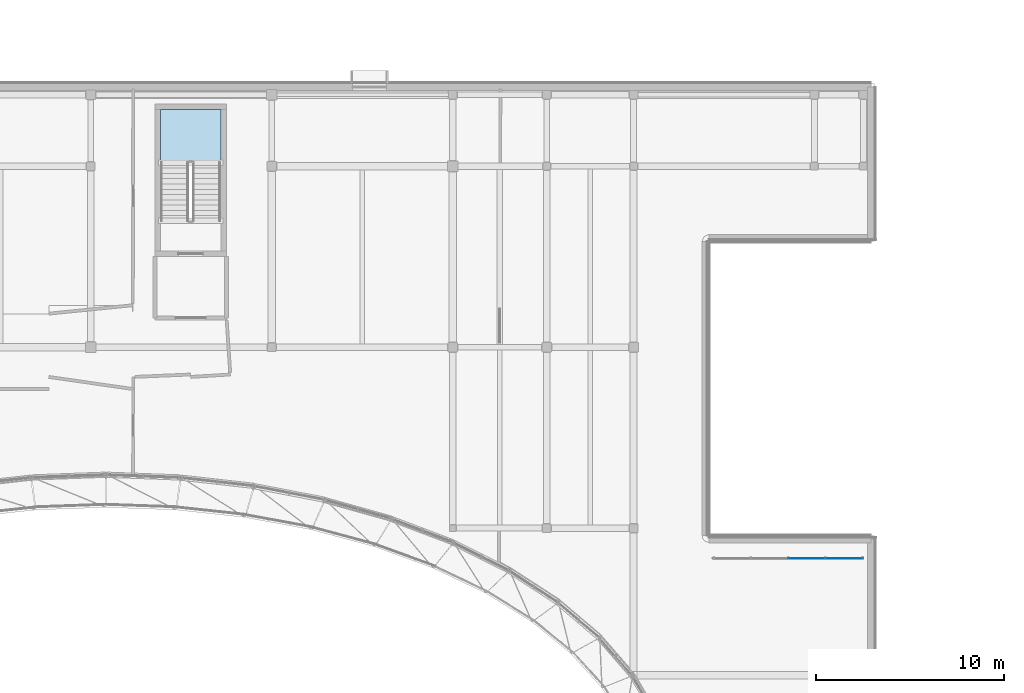
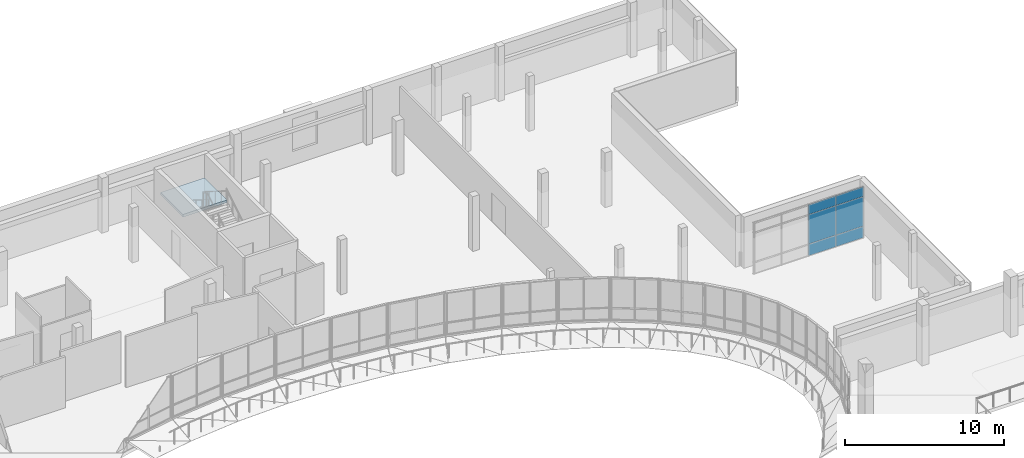
# One storey, part 34 of 73: 6 plates, 1 slab, 2 elements without a shape of their own.
"""IFC4 building model written with IfcOpenShell, lengths in metres."""

import ifcopenshell
import ifcopenshell.guid

model = None  # the IFC model being written
_history = None  # IfcOwnerHistory: only IFC2X3 demands one
_inside = {}  # id of a spatial element -> (the spatial element, [elements in it])
_under = {}  # id of a project, library or spatial element -> (it, [spatial elements below it])
_declared = {}  # id of a project -> (the project, [libraries it declares])
_typed = {}  # id of a type object -> (the type object, [elements of that type])
_made_of = {}  # id of a material, layer set ... -> (it, [elements and type objects made of it])


def new_model(schema):
    """Start an empty IFC model of exactly this schema.

    Asked for "IFC4X3", IfcOpenShell would pick the latest addendum, in which some entities
    have other attributes; the version numbers below select the first issue.
    IFC2X3 requires an IfcOwnerHistory on every rooted entity: one is made here for all.
    """
    global model, _history
    if schema == "IFC4X3":
        model = ifcopenshell.file(schema_version=(4, 3, 0, 0))
    else:
        model = ifcopenshell.file(schema=schema)
    _inside.clear()
    _under.clear()
    _declared.clear()
    _typed.clear()
    _made_of.clear()
    _history = None
    if model.schema == "IFC2X3":
        org = make("IfcOrganization", Name="unknown")
        user = make(
            "IfcPersonAndOrganization",
            ThePerson=make("IfcPerson", FamilyName="unknown"),
            TheOrganization=org,
        )
        app = make(
            "IfcApplication",
            ApplicationDeveloper=org,
            Version="unknown",
            ApplicationFullName="unknown",
            ApplicationIdentifier="unknown",
        )
        _history = make(
            "IfcOwnerHistory",
            OwningUser=user,
            OwningApplication=app,
            ChangeAction="ADDED",
            CreationDate=0,
        )
    return model


def make(cls, **values):
    """One entity of the class cls with the attributes given. An attribute that is None is left unset."""
    return model.create_entity(
        cls, **{name: value for name, value in values.items() if value is not None}
    )


def rooted(cls, **values):
    """An entity with a GlobalId (a new one), such as an element, a storey or a relation."""
    return make(cls, GlobalId=ifcopenshell.guid.new(), OwnerHistory=_history, **values)


def si_unit(unit_type, name, prefix=None):
    """IfcSIUnit, for example si_unit("LENGTHUNIT", "METRE", prefix="MILLI")."""
    return make("IfcSIUnit", UnitType=unit_type, Prefix=prefix, Name=name)


def assignment(units):
    """IfcUnitAssignment: the units of a project."""
    return None if units is None else make("IfcUnitAssignment", Units=units)


def point(xyz):
    """IfcCartesianPoint."""
    return None if xyz is None else make("IfcCartesianPoint", Coordinates=xyz)


def direction(xyz):
    """IfcDirection."""
    return None if xyz is None else make("IfcDirection", DirectionRatios=xyz)


def frame(location, z_axis=None, x_axis=None):
    """IfcAxis2Placement3D, a coordinate frame: its origin and axes. An axis left out is left unset."""
    return make(
        "IfcAxis2Placement3D",
        Location=point(location),
        Axis=direction(z_axis),
        RefDirection=direction(x_axis),
    )


def frame_2d(location, x_axis=None):
    """IfcAxis2Placement2D, a coordinate frame in the plane: its origin and x axis."""
    return make(
        "IfcAxis2Placement2D", Location=point(location), RefDirection=direction(x_axis)
    )


def origin():
    """The frame at (0, 0, 0) with its axes left unset."""
    return frame((0.0, 0.0, 0.0))


def origin_2d():
    """The frame at (0, 0) in the plane with its x axis left unset."""
    return frame_2d((0.0, 0.0))


def place(relative_to, where):
    """IfcLocalPlacement: puts the frame where relative to a parent placement (None: the world)."""
    return make(
        "IfcLocalPlacement", PlacementRelTo=relative_to, RelativePlacement=where
    )


def context(
    kind, dimensions, precision=None, world=None, true_north=None, identifier=None
):
    """IfcGeometricRepresentationContext, for example the 3D "Model" context."""
    return make(
        "IfcGeometricRepresentationContext",
        ContextIdentifier=identifier,
        ContextType=kind,
        CoordinateSpaceDimension=dimensions,
        Precision=precision,
        WorldCoordinateSystem=world,
        TrueNorth=true_north,
    )


def subcontext(parent, identifier, kind, view, scale=None):
    """IfcGeometricRepresentationSubContext, for example "Body" below "Model"."""
    return make(
        "IfcGeometricRepresentationSubContext",
        ContextIdentifier=identifier,
        ContextType=kind,
        ParentContext=parent,
        TargetScale=scale,
        TargetView=view,
    )


def project(units=None, contexts=None):
    """IfcProject with its units and contexts."""
    return rooted(
        "IfcProject",
        Name="project",
        RepresentationContexts=contexts,
        UnitsInContext=assignment(units),
    )


def spatial(cls, under=None, at=None, **own):
    """A site, building, storey or space (cls), placed at a placement, below another one or the project."""
    s = rooted(cls, ObjectPlacement=at, **own)
    if under is not None:
        _under.setdefault(under.id(), (under, []))[1].append(s)
    return s


def polyline(points):
    """IfcPolyline through the points."""
    return make("IfcPolyline", Points=[point(p) for p in points])


def profile(cls, at=None, kind="AREA", **sizes):
    """A parametric profile (cls). Its sizes go by their IFC names, for example OverallWidth=200.0."""
    return make(cls, ProfileType=kind, Position=at, **sizes)


def rectangle(**sizes):
    """IfcRectangleProfileDef."""
    return profile("IfcRectangleProfileDef", **sizes)


def outline(outer, holes=None, kind="AREA"):
    """IfcArbitraryClosedProfileDef: a profile drawn as a closed curve; with holes, ...WithVoids."""
    if holes is None:
        return make("IfcArbitraryClosedProfileDef", ProfileType=kind, OuterCurve=outer)
    return make(
        "IfcArbitraryProfileDefWithVoids",
        ProfileType=kind,
        OuterCurve=outer,
        InnerCurves=holes,
    )


def extrude(swept, where, along, depth):
    """IfcExtrudedAreaSolid: the profile swept, set in the frame where, extruded along a direction by depth."""
    return make(
        "IfcExtrudedAreaSolid",
        SweptArea=swept,
        Position=where,
        ExtrudedDirection=direction(along),
        Depth=depth,
    )


def shape(context_of_items, identifier, shape_type, items):
    """IfcShapeRepresentation: the items that make up one representation, for example the "Body"."""
    return make(
        "IfcShapeRepresentation",
        ContextOfItems=context_of_items,
        RepresentationIdentifier=identifier,
        RepresentationType=shape_type,
        Items=items,
    )


def material(Name=None, Category=None):
    """IfcMaterial."""
    return make("IfcMaterial", Name=Name, Category=Category)


def layer(
    of_material, thickness, ventilated=None, Name=None, Category=None, Priority=None
):
    """IfcMaterialLayer: one layer of a wall or slab, of a material (None: an air gap)."""
    return make(
        "IfcMaterialLayer",
        Material=of_material,
        LayerThickness=thickness,
        IsVentilated=ventilated,
        Name=Name,
        Category=Category,
        Priority=Priority,
    )


def layer_set(layers, Name=None):
    """IfcMaterialLayerSet."""
    return make("IfcMaterialLayerSet", MaterialLayers=layers, LayerSetName=Name)


def made_of(thing, what):
    """Note that an element or type object is made of a material, layer set ...; save() writes the relation."""
    if what is not None:
        _made_of.setdefault(what.id(), (what, []))[1].append(thing)
    return thing


def type_object(cls, material=None, **own):
    """A type object (cls), such as IfcWallType, which elements share."""
    return made_of(rooted(cls, **own), material)


def element(
    cls,
    number,
    at=None,
    inside=None,
    cuts=None,
    type_object=None,
    material=None,
    context=None,
    identifier="Body",
    shape_type=None,
    held_by="IfcProductDefinitionShape",
    body=None,
    shapes=None,
    **own,
):
    """One element of the class cls, such as IfcWall. Its Tag is "e" and its number.

    at: its placement. inside: the storey or other place that contains it. cuts: it is an
    opening in that element (IfcRelVoidsElement). A single representation is given by context,
    identifier, shape_type and body (its items); several are given by shapes. held_by: the class
    of the entity that holds the representations. save() writes the other relations.
    """
    e = rooted(cls, Tag="e%d" % number, ObjectPlacement=at, **own)
    if body is not None:
        shapes = [shape(context, identifier, shape_type, body)]
    if shapes is not None:
        e.Representation = make(held_by, Representations=shapes)
    if inside is not None:
        _inside.setdefault(inside.id(), (inside, []))[1].append(e)
    if cuts is not None:
        rooted(
            "IfcRelVoidsElement", RelatingBuildingElement=cuts, RelatedOpeningElement=e
        )
    if type_object is not None:
        _typed.setdefault(type_object.id(), (type_object, []))[1].append(e)
    return made_of(e, material)


def aggregate(whole, parts):
    """IfcRelAggregates: a whole, such as a stair, and the parts it consists of."""
    return rooted("IfcRelAggregates", RelatingObject=whole, RelatedObjects=parts)


def save(model, path):
    """Write the relations noted so far, then the file.

    IfcRelAggregates (storeys below a building ...), IfcRelContainedInSpatialStructure (elements
    in a storey), IfcRelDefinesByType, IfcRelAssociatesMaterial and IfcRelDeclares: one each for
    every whole, place, type object, material and project.
    """
    for whole, parts in _under.values():
        aggregate(whole, parts)
    for where, things in _inside.values():
        rooted(
            "IfcRelContainedInSpatialStructure",
            RelatedElements=things,
            RelatingStructure=where,
        )
    for kind, things in _typed.values():
        rooted("IfcRelDefinesByType", RelatedObjects=things, RelatingType=kind)
    for what, things in _made_of.values():
        rooted("IfcRelAssociatesMaterial", RelatedObjects=things, RelatingMaterial=what)
    for by, libraries in _declared.values():
        rooted("IfcRelDeclares", RelatingContext=by, RelatedDefinitions=libraries)
    model.write(path)


model = new_model("IFC4")

# Units and contexts
model_context = context("Model", 3, precision=1e-05, world=origin(), true_north=direction((0.0, 1.0)))
body_context = subcontext(model_context, "Body", "Model", "MODEL_VIEW")
ifc_project = project(units=[si_unit("LENGTHUNIT", "METRE"), si_unit("AREAUNIT", "SQUARE_METRE"), si_unit("VOLUMEUNIT", "CUBIC_METRE"), si_unit("PLANEANGLEUNIT", "RADIAN"), si_unit("MASSUNIT", "GRAM", prefix="KILO")], contexts=[model_context])

# Site, building, storey
site_placement = place(None, origin())
site = spatial("IfcSite", under=ifc_project, at=site_placement, CompositionType="ELEMENT")
building_placement = place(site_placement, origin())
building = spatial("IfcBuilding", under=site, at=building_placement, Name="Mzevani Central Library", CompositionType="ELEMENT")
storey_placement = place(building_placement, frame((0.0, 0.0, 9.60009765625)))
storey = spatial("IfcBuildingStorey", under=building, at=storey_placement, Name="L02", CompositionType="ELEMENT", Elevation=9.60009765625)

# Curtain wall, plates
ifc_material_1 = material(Name="Thermally broken aluminium and Low-E triple glazing", Category="aluminium")
curtain_wall_type = type_object("IfcCurtainWallType", Name="Interior Atrium Acoustic Glazed Screen", PredefinedType="NOTDEFINED", material=ifc_material_1)
curtain_wall_placement = place(storey_placement, origin())
curtain_wall = element("IfcCurtainWall", 1, at=curtain_wall_placement, inside=storey, type_object=curtain_wall_type, Name="L02 Atrium Acoustic Overlook Screen 6", PredefinedType="NOTDEFINED")
ifc_material_2 = material(Name="Low-E triple glazing glass", Category="glass")
ifc_layer_1 = layer(ifc_material_2, 0.02197265625, Name="CW Interior Atrium Glazed Panel 22")
ifc_layer_set_1 = layer_set([ifc_layer_1], Name="Low-E triple glazing glass")
plate_type = type_object("IfcPlateType", Name="CW Interior Atrium Glazed Panel 22", PredefinedType="CURTAIN_PANEL", material=ifc_layer_set_1)
plate_1_placement = place(storey_placement, frame((121.199951171875, 88.800048828125, 0.0), z_axis=(0.0, 0.0, 1.0), x_axis=(1.0, 0.0, 0.0)))
plate_1 = element("IfcPlate", 2, at=plate_1_placement, type_object=plate_type, Name="L02 Atrium Acoustic Overlook Screen 6 Vision Panel 7", PredefinedType="CURTAIN_PANEL", context=body_context, shape_type="SweptSolid", body=[
    extrude(rectangle(XDim=2.0, YDim=0.02197265625, at=origin_2d()), origin(), (0.0, 0.0, 1.0), 0.89990234375),
])
plate_2_placement = place(storey_placement, frame((121.199951171875, 88.800048828125, 0.89990234375), z_axis=(0.0, 0.0, 1.0), x_axis=(1.0, 0.0, 0.0)))
plate_2 = element("IfcPlate", 3, at=plate_2_placement, type_object=plate_type, Name="L02 Atrium Acoustic Overlook Screen 6 Vision Panel 8", PredefinedType="CURTAIN_PANEL", context=body_context, shape_type="SweptSolid", body=[
    extrude(rectangle(XDim=2.0, YDim=0.02197265625, at=origin_2d()), origin(), (0.0, 0.0, 1.0), 2.27001953125),
])
plate_3_placement = place(storey_placement, frame((121.199951171875, 88.800048828125, 3.169921875), z_axis=(0.0, 0.0, 1.0), x_axis=(1.0, 0.0, 0.0)))
plate_3 = element("IfcPlate", 4, at=plate_3_placement, type_object=plate_type, Name="L02 Atrium Acoustic Overlook Screen 6 Vision Panel 9", PredefinedType="CURTAIN_PANEL", context=body_context, shape_type="SweptSolid", body=[
    extrude(rectangle(XDim=2.0, YDim=0.02197265625, at=origin_2d()), origin(), (0.0, 0.0, 1.0), 0.75),
])
plate_4_placement = place(storey_placement, frame((123.199951171875, 88.800048828125, 0.0), z_axis=(0.0, 0.0, 1.0), x_axis=(1.0, 0.0, 0.0)))
plate_4 = element("IfcPlate", 5, at=plate_4_placement, type_object=plate_type, Name="L02 Atrium Acoustic Overlook Screen 6 Vision Panel 10", PredefinedType="CURTAIN_PANEL", context=body_context, shape_type="SweptSolid", body=[
    extrude(rectangle(XDim=2.0, YDim=0.02197265625, at=origin_2d()), origin(), (0.0, 0.0, 1.0), 0.89990234375),
])
plate_5_placement = place(storey_placement, frame((123.199951171875, 88.800048828125, 0.89990234375), z_axis=(0.0, 0.0, 1.0), x_axis=(1.0, 0.0, 0.0)))
plate_5 = element("IfcPlate", 6, at=plate_5_placement, type_object=plate_type, Name="L02 Atrium Acoustic Overlook Screen 6 Vision Panel 11", PredefinedType="CURTAIN_PANEL", context=body_context, shape_type="SweptSolid", body=[
    extrude(rectangle(XDim=2.0, YDim=0.02197265625, at=origin_2d()), origin(), (0.0, 0.0, 1.0), 2.27001953125),
])
plate_6_placement = place(storey_placement, frame((123.199951171875, 88.800048828125, 3.169921875), z_axis=(0.0, 0.0, 1.0), x_axis=(1.0, 0.0, 0.0)))
plate_6 = element("IfcPlate", 7, at=plate_6_placement, type_object=plate_type, Name="L02 Atrium Acoustic Overlook Screen 6 Vision Panel 12", PredefinedType="CURTAIN_PANEL", context=body_context, shape_type="SweptSolid", body=[
    extrude(rectangle(XDim=2.0, YDim=0.02197265625, at=origin_2d()), origin(), (0.0, 0.0, 1.0), 0.75),
])
aggregate(curtain_wall, [plate_1, plate_2, plate_3, plate_4, plate_5, plate_6])

# Stair, slab
ifc_material_3 = material(Name="Concrete C35/45", Category="concrete")
stair_type = type_object("IfcStairType", Name="Dogleg Exit Stair 175x280", PredefinedType="HALF_TURN_STAIR", material=ifc_material_3)
stair_placement = place(storey_placement, origin())
stair = element("IfcStair", 8, at=stair_placement, inside=storey, type_object=stair_type, Name="L02 Core C3B Atrium East Escape Stair Exit Stair ST-02", PredefinedType="HALF_TURN_STAIR")
ifc_layer_2 = layer(ifc_material_3, 0.199951171875, Name="Stair Landing Slab 200")
ifc_layer_set_2 = layer_set([ifc_layer_2], Name="Concrete C35/45")
slab_type = type_object("IfcSlabType", Name="Stair Landing Slab 200", PredefinedType="LANDING", material=ifc_layer_set_2)
slab_placement = place(storey_placement, frame((0.0, 0.0, 1.89990234375)))
slab = element("IfcSlab", 9, at=slab_placement, type_object=slab_type, Name="ST-06 landing 1", PredefinedType="LANDING", context=body_context, shape_type="SweptSolid", body=[
    extrude(outline(polyline([(90.10009765625, 109.780029296875), (90.10009765625, 112.60009765625), (86.89990234375, 112.60009765625), (86.89990234375, 109.780029296875), (90.10009765625, 109.780029296875)])), origin(), (0.0, 0.0, 1.0), 0.199951171875),
])
aggregate(stair, [slab])

save(model, "model.ifc")
